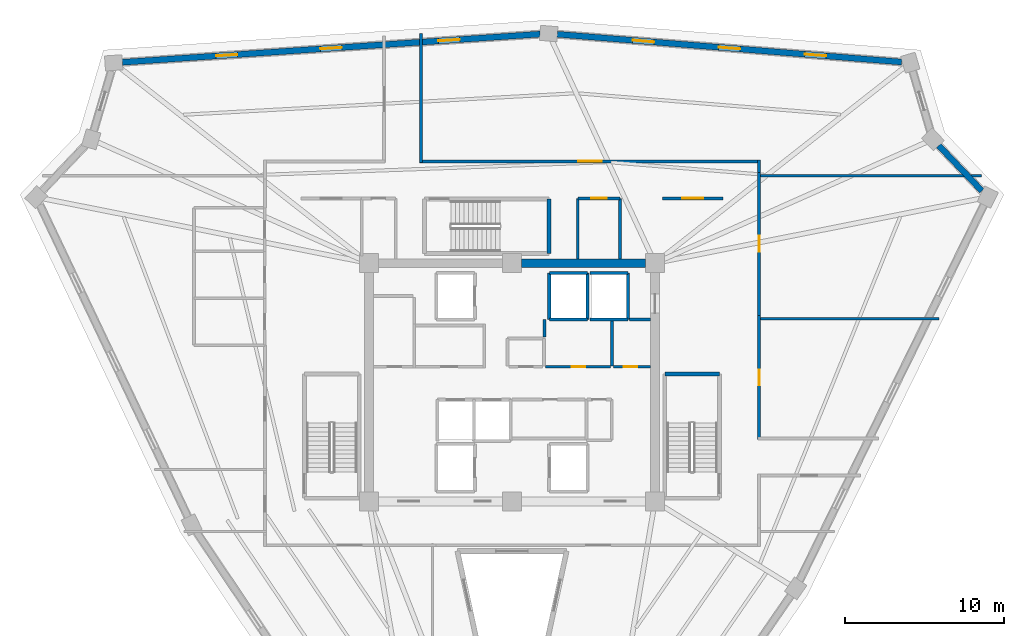
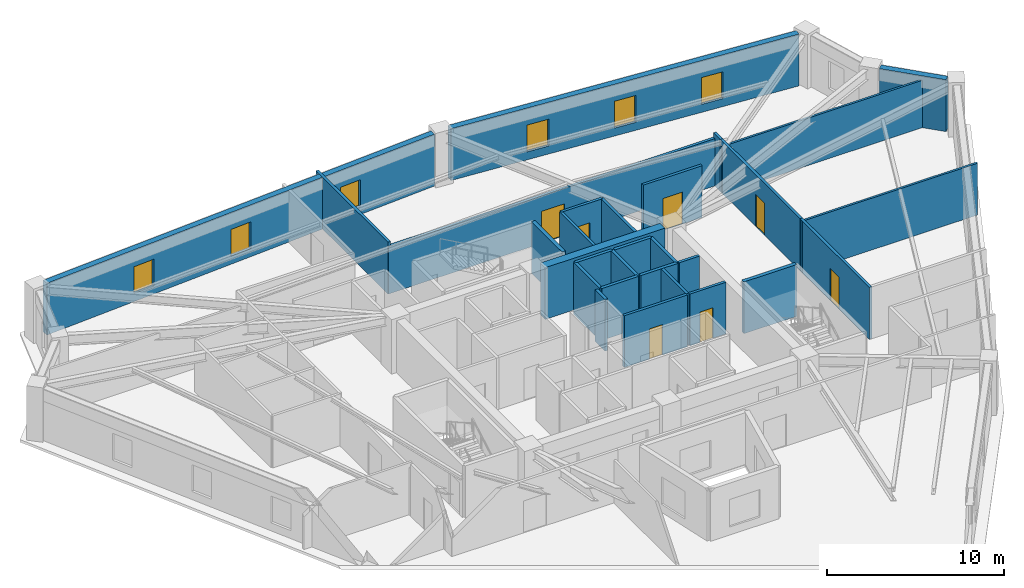
# One storey, part 6 of 8: 29 walls, 7 doors, 6 windows, 13 openings.
"""IFC4 building model written with IfcOpenShell, lengths in metres."""

from ifc_helpers import new_model, si_unit, direction, frame, frame_2d, origin, place, context, subcontext, project, spatial, rectangle, extrude, source, transform, mapped, material, layer, layer_set, type_object, element, fill, save


model = new_model("IFC4")

# Units and contexts
model_context = context("Model", 3, precision=1e-05, world=origin(), true_north=direction((0.0, 1.0)))
body_context = subcontext(model_context, "Body", "Model", "MODEL_VIEW")
ifc_project = project(units=[si_unit("LENGTHUNIT", "METRE"), si_unit("AREAUNIT", "SQUARE_METRE"), si_unit("VOLUMEUNIT", "CUBIC_METRE"), si_unit("PLANEANGLEUNIT", "RADIAN"), si_unit("MASSUNIT", "GRAM", prefix="KILO")], contexts=[model_context])

# Site, building, storey
site_placement = place(None, origin())
site = spatial("IfcSite", under=ifc_project, at=site_placement, CompositionType="ELEMENT")
building_placement = place(site_placement, origin())
building = spatial("IfcBuilding", under=site, at=building_placement, Name="Liaohun Quay Tower", CompositionType="ELEMENT")
storey_placement = place(building_placement, frame((0.0, 0.0, 312.75)))
storey = spatial("IfcBuildingStorey", under=building, at=storey_placement, Name="L81", CompositionType="ELEMENT", Elevation=312.75)

# Walls
ifc_material_1 = material(Name="Concrete C50", Category="concrete")
ifc_layer_1 = layer(ifc_material_1, 0.550048828125, Name="Concrete C50", Category="concrete")
ifc_layer_set_1 = layer_set([ifc_layer_1], Name="Concrete C50")
wall_type_1 = type_object("IfcWallType", Name="WAL-COR-Z4", PredefinedType="SHEAR", material=ifc_layer_set_1)
wall_1_placement = place(storey_placement, frame((60.60009765625, 61.5, 0.0), z_axis=(0.0, 0.0, 1.0), x_axis=(1.0, 0.0, 0.0)))
element("IfcWall", 1, at=wall_1_placement, inside=storey, type_object=wall_type_1, Name="L81 Central Core Shear Wall N-E", PredefinedType="SHEAR", context=body_context, shape_type="SweptSolid", body=[
    extrude(rectangle(XDim=7.7998046875, YDim=0.550048828125, at=frame_2d((3.89990234375, 0.0))), origin(), (0.0, 0.0, 1.0), 3.570068359375),
])
ifc_material_2 = material(Name="Precast concrete C50 insulated sandwich", Category="concrete")
ifc_layer_2 = layer(ifc_material_2, 0.3798828125, Name="Precast concrete C50 insulated sandwich", Category="concrete")
ifc_layer_set_2 = layer_set([ifc_layer_2], Name="Precast concrete C50 insulated sandwich")
wall_type_2 = type_object("IfcWallType", Name="WAL-EXT-Z34", PredefinedType="SOLIDWALL", material=ifc_layer_set_2)
wall_2_placement = place(storey_placement, frame((89.580078125, 66.052001953125, 0.0), z_axis=(0.0, 0.0, 1.0), x_axis=(-0.689378051653, 0.724401754484, 0.0)))
element("IfcWall", 2, at=wall_2_placement, inside=storey, type_object=wall_type_2, Name="L81 Brutalist Precast Pier Wall 04", PredefinedType="SOLIDWALL", context=body_context, shape_type="SweptSolid", body=[
    extrude(rectangle(XDim=3.9384765625, YDim=0.3798828125, at=frame_2d((1.96923828125, 0.0))), origin(), (0.0, 0.0, 1.0), 3.570068359375),
])

# Wall, openings, windows
wall_3_placement = place(storey_placement, frame((84.534912109375, 74.159912109375, 0.0), z_axis=(0.0, 0.0, 1.0), x_axis=(-0.996748682723, 0.080573342308, 0.0)))
wall_3 = element("IfcWall", 3, at=wall_3_placement, inside=storey, type_object=wall_type_2, Name="L81 Brutalist Precast Pier Wall 06", PredefinedType="SOLIDWALL", context=body_context, shape_type="SweptSolid", body=[
    extrude(rectangle(XDim=21.7587890625, YDim=0.3798828125, at=frame_2d((10.87939453125, 0.0))), origin(), (0.0, 0.0, 1.0), 3.570068359375),
])
shared_shape_1 = source(origin(), body_context, "Body", "SweptSolid", [
    extrude(rectangle(XDim=1.35009765625, YDim=1.85009765625, at=frame_2d((0.675048828125, 0.925048828125))), frame((0.0, 0.199951171875, 0.0), z_axis=(0.0, -1.0, 0.0), x_axis=(1.0, 0.0, 0.0)), (0.0, 0.0, 1.0), 0.39990234375),
])
opening_1_placement = place(wall_3_placement, frame((4.764892578125, 0.0, 0.550048828125)))
opening_1 = element("IfcOpeningElement", 4, at=opening_1_placement, cuts=wall_3, Name="Opening W04", PredefinedType="OPENING", context=body_context, shape_type="MappedRepresentation", body=[
    mapped(shared_shape_1, transform((0.0, 0.0, 0.0), x_axis=(1.0, 0.0, 0.0), y_axis=(0.0, 1.0, 0.0), z_axis=(0.0, 0.0, 1.0), scale=1.0)),
])
opening_2_placement = place(wall_3_placement, frame((10.2041015625, 0.0, 0.550048828125)))
opening_2 = element("IfcOpeningElement", 5, at=opening_2_placement, cuts=wall_3, Name="Opening W04", PredefinedType="OPENING", context=body_context, shape_type="MappedRepresentation", body=[
    mapped(shared_shape_1, transform((0.0, 0.0, 0.0), x_axis=(1.0, 0.0, 0.0), y_axis=(0.0, 1.0, 0.0), z_axis=(0.0, 0.0, 1.0), scale=1.0)),
])
opening_3_placement = place(wall_3_placement, frame((15.64404296875, 0.0, 0.550048828125)))
opening_3 = element("IfcOpeningElement", 6, at=opening_3_placement, cuts=wall_3, Name="Opening W04", PredefinedType="OPENING", context=body_context, shape_type="MappedRepresentation", body=[
    mapped(shared_shape_1, transform((0.0, 0.0, 0.0), x_axis=(1.0, 0.0, 0.0), y_axis=(0.0, 1.0, 0.0), z_axis=(0.0, 0.0, 1.0), scale=1.0)),
])
ifc_material_3 = material(Name="Triple Low-E argon glazing in thermally broken aluminium", Category="aluminium")
window_type = type_object("IfcWindowType", Name="WIN-PUN-Z4", PartitioningType="SINGLE_PANEL", PredefinedType="WINDOW", material=ifc_material_3)
shared_shape_2 = source(origin(), body_context, "Body", "SweptSolid", [
    extrude(rectangle(XDim=1.35009765625, YDim=1.85009765625, at=frame_2d((0.675048828125, 0.925048828125))), frame((0.0, 0.030029296875, 0.0), z_axis=(0.0, -1.0, 0.0), x_axis=(1.0, 0.0, 0.0)), (0.0, 0.0, 1.0), 0.06005859375),
])
window_1_placement = place(opening_1_placement, origin())
window_1 = element("IfcWindow", 7, at=window_1_placement, inside=storey, type_object=window_type, Name="L81 Recessed Cold-Climate Punched Window 06-1", OverallHeight=1.85009765625, OverallWidth=1.35009765625, PartitioningType="SINGLE_PANEL", PredefinedType="WINDOW", context=body_context, shape_type="MappedRepresentation", body=[
    mapped(shared_shape_2, transform((0.0, 0.0, 0.0), x_axis=(1.0, 0.0, 0.0), y_axis=(0.0, 1.0, 0.0), z_axis=(0.0, 0.0, 1.0), scale=1.0)),
])
fill(opening_1, window_1)
window_2_placement = place(opening_2_placement, origin())
window_2 = element("IfcWindow", 8, at=window_2_placement, inside=storey, type_object=window_type, Name="L81 Recessed Cold-Climate Punched Window 06-2", OverallHeight=1.85009765625, OverallWidth=1.35009765625, PartitioningType="SINGLE_PANEL", PredefinedType="WINDOW", context=body_context, shape_type="MappedRepresentation", body=[
    mapped(shared_shape_2, transform((0.0, 0.0, 0.0), x_axis=(1.0, 0.0, 0.0), y_axis=(0.0, 1.0, 0.0), z_axis=(0.0, 0.0, 1.0), scale=1.0)),
])
fill(opening_2, window_2)
window_3_placement = place(opening_3_placement, origin())
window_3 = element("IfcWindow", 9, at=window_3_placement, inside=storey, type_object=window_type, Name="L81 Recessed Cold-Climate Punched Window 06-3", OverallHeight=1.85009765625, OverallWidth=1.35009765625, PartitioningType="SINGLE_PANEL", PredefinedType="WINDOW", context=body_context, shape_type="MappedRepresentation", body=[
    mapped(shared_shape_2, transform((0.0, 0.0, 0.0), x_axis=(1.0, 0.0, 0.0), y_axis=(0.0, 1.0, 0.0), z_axis=(0.0, 0.0, 1.0), scale=1.0)),
])
fill(opening_3, window_3)

wall_4_placement = place(storey_placement, frame((61.77001953125, 75.919921875, 0.0), z_axis=(0.0, 0.0, 1.0), x_axis=(-0.997731532318, -0.067318566668, 0.0)))
wall_4 = element("IfcWall", 10, at=wall_4_placement, inside=storey, type_object=wall_type_2, Name="L81 Brutalist Precast Pier Wall 07", PredefinedType="SOLIDWALL", context=body_context, shape_type="SweptSolid", body=[
    extrude(rectangle(XDim=26.36572265625, YDim=0.3798828125, at=frame_2d((13.182861328125, 0.0))), origin(), (0.0, 0.0, 1.0), 3.570068359375),
])
opening_4_placement = place(wall_4_placement, frame((5.06591796875, 0.0, 0.550048828125)))
opening_4 = element("IfcOpeningElement", 11, at=opening_4_placement, cuts=wall_4, Name="Opening W04", PredefinedType="OPENING", context=body_context, shape_type="MappedRepresentation", body=[
    mapped(shared_shape_1, transform((0.0, 0.0, 0.0), x_axis=(1.0, 0.0, 0.0), y_axis=(0.0, 1.0, 0.0), z_axis=(0.0, 0.0, 1.0), scale=1.0)),
])
opening_5_placement = place(wall_4_placement, frame((12.508056640625, 0.0, 0.550048828125)))
opening_5 = element("IfcOpeningElement", 12, at=opening_5_placement, cuts=wall_4, Name="Opening W04", PredefinedType="OPENING", context=body_context, shape_type="MappedRepresentation", body=[
    mapped(shared_shape_1, transform((0.0, 0.0, 0.0), x_axis=(1.0, 0.0, 0.0), y_axis=(0.0, 1.0, 0.0), z_axis=(0.0, 0.0, 1.0), scale=1.0)),
])
opening_6_placement = place(wall_4_placement, frame((19.09912109375, 0.0, 0.550048828125)))
opening_6 = element("IfcOpeningElement", 13, at=opening_6_placement, cuts=wall_4, Name="Opening W04", PredefinedType="OPENING", context=body_context, shape_type="MappedRepresentation", body=[
    mapped(shared_shape_1, transform((0.0, 0.0, 0.0), x_axis=(1.0, 0.0, 0.0), y_axis=(0.0, 1.0, 0.0), z_axis=(0.0, 0.0, 1.0), scale=1.0)),
])
window_4_placement = place(opening_4_placement, origin())
window_4 = element("IfcWindow", 14, at=window_4_placement, inside=storey, type_object=window_type, Name="L81 Recessed Cold-Climate Punched Window 07-1", OverallHeight=1.85009765625, OverallWidth=1.35009765625, PartitioningType="SINGLE_PANEL", PredefinedType="WINDOW", context=body_context, shape_type="MappedRepresentation", body=[
    mapped(shared_shape_2, transform((0.0, 0.0, 0.0), x_axis=(1.0, 0.0, 0.0), y_axis=(0.0, 1.0, 0.0), z_axis=(0.0, 0.0, 1.0), scale=1.0)),
])
fill(opening_4, window_4)
window_5_placement = place(opening_5_placement, origin())
window_5 = element("IfcWindow", 15, at=window_5_placement, inside=storey, type_object=window_type, Name="L81 Recessed Cold-Climate Punched Window 07-2", OverallHeight=1.85009765625, OverallWidth=1.35009765625, PartitioningType="SINGLE_PANEL", PredefinedType="WINDOW", context=body_context, shape_type="MappedRepresentation", body=[
    mapped(shared_shape_2, transform((0.0, 0.0, 0.0), x_axis=(1.0, 0.0, 0.0), y_axis=(0.0, 1.0, 0.0), z_axis=(0.0, 0.0, 1.0), scale=1.0)),
])
fill(opening_5, window_5)
window_6_placement = place(opening_6_placement, origin())
window_6 = element("IfcWindow", 16, at=window_6_placement, inside=storey, type_object=window_type, Name="L81 Recessed Cold-Climate Punched Window 07-3", OverallHeight=1.85009765625, OverallWidth=1.35009765625, PartitioningType="SINGLE_PANEL", PredefinedType="WINDOW", context=body_context, shape_type="MappedRepresentation", body=[
    mapped(shared_shape_2, transform((0.0, 0.0, 0.0), x_axis=(1.0, 0.0, 0.0), y_axis=(0.0, 1.0, 0.0), z_axis=(0.0, 0.0, 1.0), scale=1.0)),
])
fill(opening_6, window_6)

# Wall, opening, door
ifc_material_4 = material(Name="Autoclaved aerated concrete blockwork", Category="masonry")
ifc_layer_3 = layer(ifc_material_4, 0.179931640625, Name="Autoclaved aerated concrete blockwork", Category="masonry")
ifc_layer_set_3 = layer_set([ifc_layer_3], Name="Autoclaved aerated concrete blockwork")
wall_type_3 = type_object("IfcWallType", Name="WAL-PRT-COR", PredefinedType="PARTITIONING", material=ifc_layer_set_3)
wall_5_placement = place(storey_placement, frame((62.10009765625, 54.97998046875, 0.0), z_axis=(0.0, 0.0, 1.0), x_axis=(1.0, 0.0, 0.0)))
wall_5 = element("IfcWall", 17, at=wall_5_placement, inside=storey, type_object=wall_type_3, Name="L81 Interior Partition Wall 004", PredefinedType="PARTITIONING", context=body_context, shape_type="SweptSolid", body=[
    extrude(rectangle(XDim=4.10986328125, YDim=0.179931640625, at=frame_2d((2.054931640625, 0.0))), origin(), (0.0, 0.0, 1.0), 3.570068359375),
])
shared_shape_3 = source(origin(), body_context, "Body", "SweptSolid", [
    extrude(rectangle(XDim=0.85009765625, YDim=2.10009765625, at=frame_2d((0.425048828125, 1.050048828125))), frame((0.0, 0.099853515625, 0.0), z_axis=(0.0, -1.0, 0.0), x_axis=(1.0, 0.0, 0.0)), (0.0, 0.0, 1.0), 0.199951171875),
])
opening_7_placement = place(wall_5_placement, frame((1.64990234375, 0.0, 0.0)))
opening_7 = element("IfcOpeningElement", 18, at=opening_7_placement, cuts=wall_5, Name="Opening AD1", PredefinedType="OPENING", context=body_context, shape_type="MappedRepresentation", body=[
    mapped(shared_shape_3, transform((0.0, 0.0, 0.0), x_axis=(1.0, 0.0, 0.0), y_axis=(0.0, 1.0, 0.0), z_axis=(0.0, 0.0, 1.0), scale=1.0)),
])
ifc_material_5 = material(Name="Steel riser inspection fire door", Category="steel")
door_type_1 = type_object("IfcDoorType", Name="DOR-SHF-850", OperationType="NOTDEFINED", PredefinedType="DOOR", material=ifc_material_5)
shared_shape_4 = source(origin(), body_context, "Body", "SweptSolid", [
    extrude(rectangle(XDim=0.85009765625, YDim=2.10009765625, at=frame_2d((0.425048828125, 1.050048828125))), frame((0.0, 0.02490234375, 0.0), z_axis=(0.0, -1.0, 0.0), x_axis=(1.0, 0.0, 0.0)), (0.0, 0.0, 1.0), 0.050048828125),
])
door_1_placement = place(opening_7_placement, origin())
door_1 = element("IfcDoor", 19, at=door_1_placement, inside=storey, type_object=door_type_1, Name="L81 Core Metering Closet Door", OperationType="SINGLE_SWING_LEFT", OverallHeight=2.10009765625, OverallWidth=0.85009765625, PredefinedType="DOOR", context=body_context, shape_type="MappedRepresentation", body=[
    mapped(shared_shape_4, transform((0.0, 0.0, 0.0), x_axis=(1.0, 0.0, 0.0), y_axis=(0.0, 1.0, 0.0), z_axis=(0.0, 0.0, 1.0), scale=1.0)),
])
fill(opening_7, door_1)

wall_6_placement = place(storey_placement, frame((66.389892578125, 54.97998046875, 0.0), z_axis=(0.0, 0.0, 1.0), x_axis=(1.0, 0.0, 0.0)))
wall_6 = element("IfcWall", 20, at=wall_6_placement, inside=storey, type_object=wall_type_3, Name="L81 Interior Partition Wall 005", PredefinedType="PARTITIONING", context=body_context, shape_type="SweptSolid", body=[
    extrude(rectangle(XDim=2.335205078125, YDim=0.179931640625, at=frame_2d((1.16748046875, 0.0))), origin(), (0.0, 0.0, 1.0), 3.570068359375),
])
opening_8_placement = place(wall_6_placement, frame((0.64990234375, 0.0, 0.0)))
opening_8 = element("IfcOpeningElement", 21, at=opening_8_placement, cuts=wall_6, Name="Opening AD1", PredefinedType="OPENING", context=body_context, shape_type="MappedRepresentation", body=[
    mapped(shared_shape_3, transform((0.0, 0.0, 0.0), x_axis=(1.0, 0.0, 0.0), y_axis=(0.0, 1.0, 0.0), z_axis=(0.0, 0.0, 1.0), scale=1.0)),
])
door_2_placement = place(opening_8_placement, origin())
door_2 = element("IfcDoor", 22, at=door_2_placement, inside=storey, type_object=door_type_1, Name="L81 Core Janitor Store Door", OperationType="SINGLE_SWING_RIGHT", OverallHeight=2.10009765625, OverallWidth=0.85009765625, PredefinedType="DOOR", context=body_context, shape_type="MappedRepresentation", body=[
    mapped(shared_shape_4, transform((0.0, 0.0, 0.0), x_axis=(1.0, 0.0, 0.0), y_axis=(0.0, 1.0, 0.0), z_axis=(0.0, 0.0, 1.0), scale=1.0)),
])
fill(opening_8, door_2)

wall_7_placement = place(storey_placement, frame((64.139892578125, 65.580078125, 0.0), z_axis=(0.0, 0.0, 1.0), x_axis=(1.0, 0.0, 0.0)))
wall_7 = element("IfcWall", 23, at=wall_7_placement, inside=storey, type_object=wall_type_3, Name="L81 Interior Partition Wall 012", PredefinedType="PARTITIONING", context=body_context, shape_type="SweptSolid", body=[
    extrude(rectangle(XDim=2.670166015625, YDim=0.179931640625, at=frame_2d((1.3349609375, 0.0))), origin(), (0.0, 0.0, 1.0), 3.570068359375),
])
shared_shape_5 = source(origin(), body_context, "Body", "SweptSolid", [
    extrude(rectangle(XDim=1.0, YDim=2.199951171875, at=frame_2d((0.5, 1.10009765625))), frame((0.0, 0.099853515625, 0.0), z_axis=(0.0, -1.0, 0.0), x_axis=(1.0, 0.0, 0.0)), (0.0, 0.0, 1.0), 0.199951171875),
])
opening_9_placement = place(wall_7_placement, frame((0.8349609375, 0.0, 0.0)))
opening_9 = element("IfcOpeningElement", 24, at=opening_9_placement, cuts=wall_7, Name="Opening OD1", PredefinedType="OPENING", context=body_context, shape_type="MappedRepresentation", body=[
    mapped(shared_shape_5, transform((0.0, 0.0, 0.0), x_axis=(1.0, 0.0, 0.0), y_axis=(0.0, 1.0, 0.0), z_axis=(0.0, 0.0, 1.0), scale=1.0)),
])
ifc_material_6 = material(Name="Solid-core oak veneer timber leaf in steel frame", Category="steel")
door_type_2 = type_object("IfcDoorType", Name="DOR-OFF-1000", OperationType="NOTDEFINED", PredefinedType="DOOR", material=ifc_material_6)
shared_shape_6 = source(origin(), body_context, "Body", "SweptSolid", [
    extrude(rectangle(XDim=1.0, YDim=2.199951171875, at=frame_2d((0.5, 1.10009765625))), frame((0.0, 0.02490234375, 0.0), z_axis=(0.0, -1.0, 0.0), x_axis=(1.0, 0.0, 0.0)), (0.0, 0.0, 1.0), 0.050048828125),
])
door_3_placement = place(opening_9_placement, origin())
door_3 = element("IfcDoor", 25, at=door_3_placement, inside=storey, type_object=door_type_2, Name="L81 North-East Server Closet Door", OperationType="SINGLE_SWING_LEFT", OverallHeight=2.199951171875, OverallWidth=1.0, PredefinedType="DOOR", context=body_context, shape_type="MappedRepresentation", body=[
    mapped(shared_shape_6, transform((0.0, 0.0, 0.0), x_axis=(1.0, 0.0, 0.0), y_axis=(0.0, 1.0, 0.0), z_axis=(0.0, 0.0, 1.0), scale=1.0)),
])
fill(opening_9, door_3)

wall_8_placement = place(storey_placement, frame((69.4599609375, 65.580078125, 0.0), z_axis=(0.0, 0.0, 1.0), x_axis=(1.0, 0.0, 0.0)))
wall_8 = element("IfcWall", 26, at=wall_8_placement, inside=storey, type_object=wall_type_3, Name="L81 Interior Partition Wall 014", PredefinedType="PARTITIONING", context=body_context, shape_type="SweptSolid", body=[
    extrude(rectangle(XDim=3.840087890625, YDim=0.179931640625, at=frame_2d((1.919921875, 0.0))), origin(), (0.0, 0.0, 1.0), 3.570068359375),
])
shared_shape_7 = source(origin(), body_context, "Body", "SweptSolid", [
    extrude(rectangle(XDim=1.300048828125, YDim=2.199951171875, at=frame_2d((0.64990234375, 1.10009765625))), frame((0.0, 0.099853515625, 0.0), z_axis=(0.0, -1.0, 0.0), x_axis=(1.0, 0.0, 0.0)), (0.0, 0.0, 1.0), 0.199951171875),
])
opening_10_placement = place(wall_8_placement, frame((1.27001953125, 0.0, 0.0)))
opening_10 = element("IfcOpeningElement", 27, at=opening_10_placement, cuts=wall_8, Name="Opening FD1", PredefinedType="OPENING", context=body_context, shape_type="MappedRepresentation", body=[
    mapped(shared_shape_7, transform((0.0, 0.0, 0.0), x_axis=(1.0, 0.0, 0.0), y_axis=(0.0, 1.0, 0.0), z_axis=(0.0, 0.0, 1.0), scale=1.0)),
])
ifc_material_7 = material(Name="Galvanised steel smokeproof fire door", Category="steel")
door_type_3 = type_object("IfcDoorType", Name="DOR-FFL-1300", OperationType="NOTDEFINED", PredefinedType="DOOR", material=ifc_material_7)
shared_shape_8 = source(origin(), body_context, "Body", "SweptSolid", [
    extrude(rectangle(XDim=1.300048828125, YDim=2.199951171875, at=frame_2d((0.64990234375, 1.10009765625))), frame((0.0, 0.02490234375, 0.0), z_axis=(0.0, -1.0, 0.0), x_axis=(1.0, 0.0, 0.0)), (0.0, 0.0, 1.0), 0.050048828125),
])
door_4_placement = place(opening_10_placement, origin())
door_4 = element("IfcDoor", 28, at=door_4_placement, inside=storey, type_object=door_type_3, Name="L81 East Core Vestibule Door", OperationType="SINGLE_SWING_LEFT", OverallHeight=2.199951171875, OverallWidth=1.300048828125, PredefinedType="DOOR", context=body_context, shape_type="MappedRepresentation", body=[
    mapped(shared_shape_8, transform((0.0, 0.0, 0.0), x_axis=(1.0, 0.0, 0.0), y_axis=(0.0, 1.0, 0.0), z_axis=(0.0, 0.0, 1.0), scale=1.0)),
])
fill(opening_10, door_4)

wall_9_placement = place(storey_placement, frame((75.56005859375, 58.215087890625, 0.0), z_axis=(0.0, 0.0, 1.0), x_axis=(0.0, -1.0, 0.0)))
wall_9 = element("IfcWall", 29, at=wall_9_placement, inside=storey, type_object=wall_type_3, Name="L81 Interior Partition Wall 015", PredefinedType="PARTITIONING", context=body_context, shape_type="SweptSolid", body=[
    extrude(rectangle(XDim=7.8251953125, YDim=0.179931640625, at=frame_2d((3.91259765625, 0.0))), origin(), (0.0, 0.0, 1.0), 3.570068359375),
])
opening_11_placement = place(wall_9_placement, frame((3.4130859375, 0.0, 0.0)))
opening_11 = element("IfcOpeningElement", 30, at=opening_11_placement, cuts=wall_9, Name="Opening OD1", PredefinedType="OPENING", context=body_context, shape_type="MappedRepresentation", body=[
    mapped(shared_shape_5, transform((0.0, 0.0, 0.0), x_axis=(1.0, 0.0, 0.0), y_axis=(0.0, 1.0, 0.0), z_axis=(0.0, 0.0, 1.0), scale=1.0)),
])
door_5_placement = place(opening_11_placement, origin())
door_5 = element("IfcDoor", 31, at=door_5_placement, inside=storey, type_object=door_type_2, Name="L81 Engineering Model Workshop 01 Door", OperationType="SINGLE_SWING_RIGHT", OverallHeight=2.199951171875, OverallWidth=1.0, PredefinedType="DOOR", context=body_context, shape_type="MappedRepresentation", body=[
    mapped(shared_shape_6, transform((0.0, 0.0, 0.0), x_axis=(1.0, 0.0, 0.0), y_axis=(0.0, 1.0, 0.0), z_axis=(0.0, 0.0, 1.0), scale=1.0)),
])
fill(opening_11, door_5)

wall_10_placement = place(storey_placement, frame((75.56005859375, 67.215087890625, 0.0), z_axis=(0.0, 0.0, 1.0), x_axis=(0.0, -1.0, 0.0)))
wall_10 = element("IfcWall", 32, at=wall_10_placement, inside=storey, type_object=wall_type_3, Name="L81 Interior Partition Wall 016", PredefinedType="PARTITIONING", context=body_context, shape_type="SweptSolid", body=[
    extrude(rectangle(XDim=9.0, YDim=0.179931640625, at=frame_2d((4.5, 0.0))), origin(), (0.0, 0.0, 1.0), 3.570068359375),
])
opening_12_placement = place(wall_10_placement, frame((4.0, 0.0, 0.0)))
opening_12 = element("IfcOpeningElement", 33, at=opening_12_placement, cuts=wall_10, Name="Opening OD1", PredefinedType="OPENING", context=body_context, shape_type="MappedRepresentation", body=[
    mapped(shared_shape_5, transform((0.0, 0.0, 0.0), x_axis=(1.0, 0.0, 0.0), y_axis=(0.0, 1.0, 0.0), z_axis=(0.0, 0.0, 1.0), scale=1.0)),
])
door_6_placement = place(opening_12_placement, origin())
door_6 = element("IfcDoor", 34, at=door_6_placement, inside=storey, type_object=door_type_2, Name="L81 Corporate Exhibition Gallery 02 Door", OperationType="SINGLE_SWING_LEFT", OverallHeight=2.199951171875, OverallWidth=1.0, PredefinedType="DOOR", context=body_context, shape_type="MappedRepresentation", body=[
    mapped(shared_shape_6, transform((0.0, 0.0, 0.0), x_axis=(1.0, 0.0, 0.0), y_axis=(0.0, 1.0, 0.0), z_axis=(0.0, 0.0, 1.0), scale=1.0)),
])
fill(opening_12, door_6)

wall_11_placement = place(storey_placement, frame((54.18994140625, 67.909912109375, 0.0), z_axis=(0.0, 0.0, 1.0), x_axis=(1.0, 0.0, 0.0)))
wall_11 = element("IfcWall", 35, at=wall_11_placement, inside=storey, type_object=wall_type_3, Name="L81 Interior Partition Wall 017", PredefinedType="PARTITIONING", context=body_context, shape_type="SweptSolid", body=[
    extrude(rectangle(XDim=21.43994140625, YDim=0.179931640625, at=frame_2d((10.719970703125, 0.0))), origin(), (0.0, 0.0, 1.0), 3.260986328125),
])
shared_shape_9 = source(origin(), body_context, "Body", "SweptSolid", [
    extrude(rectangle(XDim=1.5, YDim=2.199951171875, at=frame_2d((0.75, 1.10009765625))), frame((0.0, 0.099853515625, 0.0), z_axis=(0.0, -1.0, 0.0), x_axis=(1.0, 0.0, 0.0)), (0.0, 0.0, 1.0), 0.199951171875),
])
opening_13_placement = place(wall_11_placement, frame((9.969970703125, 0.0, 0.0)))
opening_13 = element("IfcOpeningElement", 36, at=opening_13_placement, cuts=wall_11, Name="Opening OD2", PredefinedType="OPENING", context=body_context, shape_type="MappedRepresentation", body=[
    mapped(shared_shape_9, transform((0.0, 0.0, 0.0), x_axis=(1.0, 0.0, 0.0), y_axis=(0.0, 1.0, 0.0), z_axis=(0.0, 0.0, 1.0), scale=1.0)),
])
ifc_material_8 = material(Name="Acoustic oak veneer double door")
door_type_4 = type_object("IfcDoorType", Name="DOR-OFF-1500", OperationType="DOUBLE_DOOR_SINGLE_SWING", PredefinedType="DOOR", material=ifc_material_8)
shared_shape_10 = source(origin(), body_context, "Body", "SweptSolid", [
    extrude(rectangle(XDim=1.5, YDim=2.199951171875, at=frame_2d((0.75, 1.10009765625))), frame((0.0, 0.02490234375, 0.0), z_axis=(0.0, -1.0, 0.0), x_axis=(1.0, 0.0, 0.0)), (0.0, 0.0, 1.0), 0.050048828125),
])
door_7_placement = place(opening_13_placement, origin())
door_7 = element("IfcDoor", 37, at=door_7_placement, inside=storey, type_object=door_type_4, Name="L81 Engineering Model Workshop 03 Door", OperationType="DOUBLE_DOOR_SINGLE_SWING", OverallHeight=2.199951171875, OverallWidth=1.5, PredefinedType="DOOR", context=body_context, shape_type="MappedRepresentation", body=[
    mapped(shared_shape_10, transform((0.0, 0.0, 0.0), x_axis=(1.0, 0.0, 0.0), y_axis=(0.0, 1.0, 0.0), z_axis=(0.0, 0.0, 1.0), scale=1.0)),
])
fill(opening_13, door_7)

# Walls
wall_12_placement = place(storey_placement, frame((66.300048828125, 55.02001953125, 0.0), z_axis=(0.0, 0.0, 1.0), x_axis=(0.0, 1.0, 0.0)))
element("IfcWall", 38, at=wall_12_placement, inside=storey, type_object=wall_type_3, Name="L81 Interior Partition Wall 025", PredefinedType="PARTITIONING", context=body_context, shape_type="SweptSolid", body=[
    extrude(rectangle(XDim=2.85986328125, YDim=0.179931640625, at=frame_2d((1.429931640625, 0.0))), origin(), (0.0, 0.0, 1.0), 3.570068359375),
])
for number, where, z_axis, x_axis, name in (
    (39, (64.139892578125, 61.77490234375, 0.0), (0.0, 0.0, 1.0), (0.0, 1.0, 0.0), "L81 Interior Partition Wall 039"),
    (40, (66.81005859375, 61.77490234375, 0.0), (0.0, 0.0, 1.0), (0.0, 1.0, 0.0), "L81 Interior Partition Wall 040"),
):
    element("IfcWall", number, at=place(storey_placement, frame(where, z_axis=z_axis, x_axis=x_axis)), inside=storey, type_object=wall_type_3, Name=name, PredefinedType="PARTITIONING", context=body_context, shape_type="SweptSolid", body=[
        extrude(rectangle(XDim=3.80517578125, YDim=0.179931640625, at=frame_2d((1.902587890625, 0.0))), origin(), (0.0, 0.0, 1.0), 3.570068359375),
    ])
wall_13_placement = place(storey_placement, frame((54.260009765625, 75.9541015625, 0.0), z_axis=(0.0, 0.0, 1.0), x_axis=(0.0, -1.0, 0.0)))
element("IfcWall", 41, at=wall_13_placement, inside=storey, type_object=wall_type_3, Name="L81 Interior Partition Wall 042", PredefinedType="PARTITIONING", context=body_context, shape_type="SweptSolid", body=[
    extrude(rectangle(XDim=8.114013671875, YDim=0.179931640625, at=frame_2d((4.05712890625, 0.0))), origin(), (0.0, 0.0, 1.0), 3.570068359375),
])
wall_14_placement = place(storey_placement, frame((75.56005859375, 67.97998046875, 0.0), z_axis=(0.0, 0.0, 1.0), x_axis=(0.0, -1.0, 0.0)))
element("IfcWall", 42, at=wall_14_placement, inside=storey, type_object=wall_type_3, Name="L81 Interior Partition Wall 043", PredefinedType="PARTITIONING", context=body_context, shape_type="SweptSolid", body=[
    extrude(rectangle(XDim=0.764892578125, YDim=0.179931640625, at=frame_2d((0.38232421875, 0.0))), origin(), (0.0, 0.0, 1.0), 3.570068359375),
])
wall_15_placement = place(storey_placement, frame((62.050048828125, 56.840087890625, 0.0), z_axis=(0.0, 0.0, 1.0), x_axis=(0.0, 1.0, 0.0)))
element("IfcWall", 43, at=wall_15_placement, inside=storey, type_object=wall_type_3, Name="L81 Interior Partition Wall 062", PredefinedType="PARTITIONING", context=body_context, shape_type="SweptSolid", body=[
    extrude(rectangle(XDim=1.10986328125, YDim=0.179931640625, at=frame_2d((0.554931640625, 0.0))), origin(), (0.0, 0.0, 1.0), 3.570068359375),
])
wall_16_placement = place(storey_placement, frame((67.39990234375, 57.949951171875, 0.0), z_axis=(0.0, 0.0, 1.0), x_axis=(1.0, 0.0, 0.0)))
element("IfcWall", 44, at=wall_16_placement, inside=storey, type_object=wall_type_3, Name="L81 Interior Partition Wall 063", PredefinedType="PARTITIONING", context=body_context, shape_type="SweptSolid", body=[
    extrude(rectangle(XDim=1.3251953125, YDim=0.179931640625, at=frame_2d((0.66259765625, 0.0))), origin(), (0.0, 0.0, 1.0), 3.570068359375),
])
ifc_material_9 = material(Name="Gypsum board on twin steel studs", Category="steel")
ifc_layer_4 = layer(ifc_material_9, 0.139892578125, Name="Gypsum board on twin steel studs", Category="steel")
ifc_layer_set_4 = layer_set([ifc_layer_4], Name="Gypsum board on twin steel studs")
wall_type_4 = type_object("IfcWallType", Name="WAL-PRT-OFF", PredefinedType="PARTITIONING", material=ifc_layer_set_4)
wall_17_placement = place(storey_placement, frame((75.4599609375, 58.0, 0.0), z_axis=(0.0, 0.0, 1.0), x_axis=(1.0, 0.0, 0.0)))
element("IfcWall", 45, at=wall_17_placement, inside=storey, type_object=wall_type_4, Name="L81 Interior Partition Wall 054", PredefinedType="PARTITIONING", context=body_context, shape_type="SweptSolid", body=[
    extrude(rectangle(XDim=11.43408203125, YDim=0.139892578125, at=frame_2d((5.717041015625, 0.0))), origin(), (0.0, 0.0, 1.0), 3.570068359375),
])
wall_18_placement = place(storey_placement, frame((75.4599609375, 67.0, 0.0), z_axis=(0.0, 0.0, 1.0), x_axis=(1.0, 0.0, 0.0)))
element("IfcWall", 46, at=wall_18_placement, inside=storey, type_object=wall_type_4, Name="L81 Interior Partition Wall 055", PredefinedType="PARTITIONING", context=body_context, shape_type="SweptSolid", body=[
    extrude(rectangle(XDim=14.087158203125, YDim=0.139892578125, at=frame_2d((7.04345703125, 0.0))), origin(), (0.0, 0.0, 1.0), 3.260986328125),
])
ifc_layer_5 = layer(ifc_material_1, 0.239990234375, Name="Concrete C50", Category="concrete")
ifc_layer_set_5 = layer_set([ifc_layer_5], Name="Concrete C50")
wall_type_5 = type_object("IfcWallType", Name="WAL-SHF-200", PredefinedType="SOLIDWALL", material=ifc_layer_set_5)
for number, where, z_axis, x_axis, name in (
    (47, (73.06005859375, 54.52001953125, 0.0), (0.0, 0.0, 1.0), (-1.0, 0.0, 0.0), "L81 Stairwell ST-2 Structural Core Wall N"),
    (48, (62.320068359375, 62.10009765625, 0.0), (0.0, 0.0, 1.0), (0.0, 1.0, 0.0), "L81 Stairwell ST-3 Structural Core Wall E"),
):
    element("IfcWall", number, at=place(storey_placement, frame(where, z_axis=z_axis, x_axis=x_axis)), inside=storey, type_object=wall_type_5, Name=name, PredefinedType="SOLIDWALL", context=body_context, shape_type="SweptSolid", body=[
        extrude(rectangle(XDim=3.43994140625, YDim=0.239990234375, at=frame_2d((1.719970703125, 0.0))), origin(), (0.0, 0.0, 1.0), 3.570068359375),
    ])
wall_19_placement = place(storey_placement, frame((62.35009765625, 57.949951171875, 0.0), z_axis=(0.0, 0.0, 1.0), x_axis=(1.0, 0.0, 0.0)))
element("IfcWall", 49, at=wall_19_placement, inside=storey, type_object=wall_type_5, Name="L81 Lift OB-01 Hoistway Wall S", PredefinedType="SOLIDWALL", context=body_context, shape_type="SweptSolid", body=[
    extrude(rectangle(XDim=2.39990234375, YDim=0.199951171875, at=frame_2d((1.199951171875, 0.0))), origin(), (0.0, 0.0, 1.0), 3.570068359375),
])
wall_20_placement = place(storey_placement, frame((64.75, 57.949951171875, 0.0), z_axis=(0.0, 0.0, 1.0), x_axis=(0.0, 1.0, 0.0)))
element("IfcWall", 50, at=wall_20_placement, inside=storey, type_object=wall_type_5, Name="L81 Lift OB-01 Hoistway Wall E", PredefinedType="SOLIDWALL", context=body_context, shape_type="SweptSolid", body=[
    extrude(rectangle(XDim=2.929931640625, YDim=0.199951171875, at=frame_2d((1.46484375, 0.0))), origin(), (0.0, 0.0, 1.0), 3.570068359375),
])
wall_21_placement = place(storey_placement, frame((64.75, 60.8798828125, 0.0), z_axis=(0.0, 0.0, 1.0), x_axis=(-1.0, 0.0, 0.0)))
element("IfcWall", 51, at=wall_21_placement, inside=storey, type_object=wall_type_5, Name="L81 Lift OB-01 Hoistway Wall N", PredefinedType="SOLIDWALL", context=body_context, shape_type="SweptSolid", body=[
    extrude(rectangle(XDim=2.39990234375, YDim=0.199951171875, at=frame_2d((1.199951171875, 0.0))), origin(), (0.0, 0.0, 1.0), 3.570068359375),
])
wall_22_placement = place(storey_placement, frame((62.35009765625, 60.8798828125, 0.0), z_axis=(0.0, 0.0, 1.0), x_axis=(0.0, -1.0, 0.0)))
element("IfcWall", 52, at=wall_22_placement, inside=storey, type_object=wall_type_5, Name="L81 Lift OB-01 Hoistway Wall W", PredefinedType="SOLIDWALL", context=body_context, shape_type="SweptSolid", body=[
    extrude(rectangle(XDim=2.929931640625, YDim=0.199951171875, at=frame_2d((1.46484375, 0.0))), origin(), (0.0, 0.0, 1.0), 3.570068359375),
])
wall_23_placement = place(storey_placement, frame((64.89990234375, 57.949951171875, 0.0), z_axis=(0.0, 0.0, 1.0), x_axis=(1.0, 0.0, 0.0)))
element("IfcWall", 53, at=wall_23_placement, inside=storey, type_object=wall_type_5, Name="L81 Lift OB-02 Hoistway Wall S", PredefinedType="SOLIDWALL", context=body_context, shape_type="SweptSolid", body=[
    extrude(rectangle(XDim=2.400146484375, YDim=0.199951171875, at=frame_2d((1.2001953125, 0.0))), origin(), (0.0, 0.0, 1.0), 3.570068359375),
])
wall_24_placement = place(storey_placement, frame((67.300048828125, 57.949951171875, 0.0), z_axis=(0.0, 0.0, 1.0), x_axis=(0.0, 1.0, 0.0)))
element("IfcWall", 54, at=wall_24_placement, inside=storey, type_object=wall_type_5, Name="L81 Lift OB-02 Hoistway Wall E", PredefinedType="SOLIDWALL", context=body_context, shape_type="SweptSolid", body=[
    extrude(rectangle(XDim=2.929931640625, YDim=0.199951171875, at=frame_2d((1.46484375, 0.0))), origin(), (0.0, 0.0, 1.0), 3.570068359375),
])
wall_25_placement = place(storey_placement, frame((67.300048828125, 60.8798828125, 0.0), z_axis=(0.0, 0.0, 1.0), x_axis=(-1.0, 0.0, 0.0)))
element("IfcWall", 55, at=wall_25_placement, inside=storey, type_object=wall_type_5, Name="L81 Lift OB-02 Hoistway Wall N", PredefinedType="SOLIDWALL", context=body_context, shape_type="SweptSolid", body=[
    extrude(rectangle(XDim=2.400146484375, YDim=0.199951171875, at=frame_2d((1.2001953125, 0.0))), origin(), (0.0, 0.0, 1.0), 3.570068359375),
])

save(model, "model.ifc")
